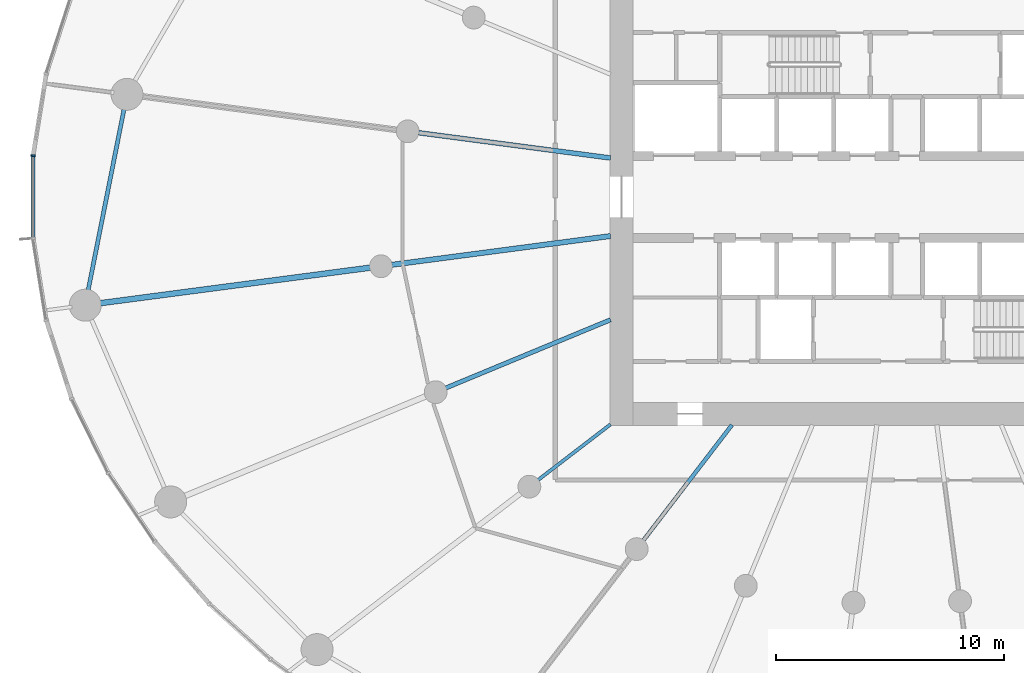
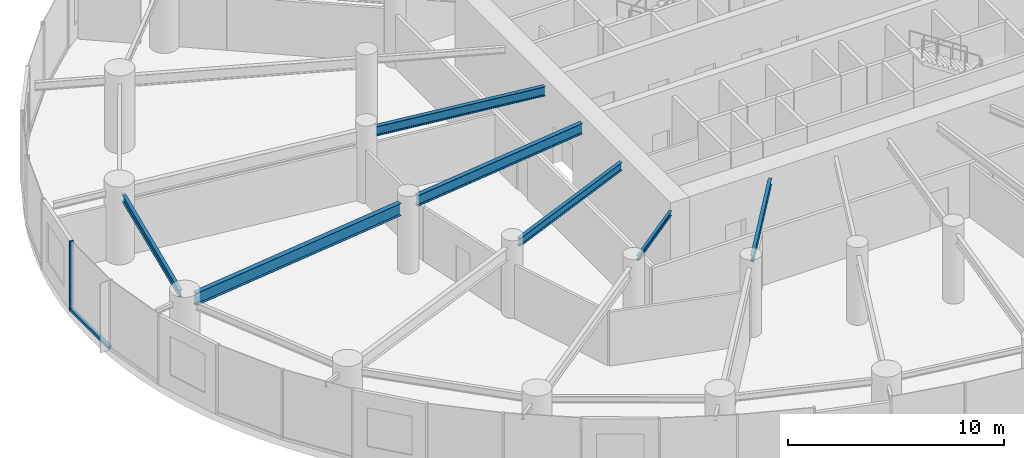
# One storey, part 3 of 19: 7 beams, 2 members, 1 element without a shape of its own.
"""IFC4 building model written with IfcOpenShell, lengths in metres."""

from ifc_helpers import new_model, si_unit, direction, frame, origin, origin_2d, place, context, subcontext, project, spatial, rectangle, i_section, extrude, source, transform, mapped, material, layer, layer_set, material_profile, profile_set, type_object, element, aggregate, save


model = new_model("IFC4")

# Units and contexts
model_context = context("Model", 3, precision=1e-05, world=origin(), true_north=direction((0.0, 1.0)))
body_context = subcontext(model_context, "Body", "Model", "MODEL_VIEW")
ifc_project = project(units=[si_unit("LENGTHUNIT", "METRE"), si_unit("AREAUNIT", "SQUARE_METRE"), si_unit("VOLUMEUNIT", "CUBIC_METRE"), si_unit("PLANEANGLEUNIT", "RADIAN"), si_unit("MASSUNIT", "GRAM", prefix="KILO")], contexts=[model_context])

# Site, building, storey
site_placement = place(None, origin())
site = spatial("IfcSite", under=ifc_project, at=site_placement, CompositionType="ELEMENT")
building_placement = place(site_placement, origin())
building = spatial("IfcBuilding", under=site, at=building_placement, Name="Spindrift Exchange Tower", CompositionType="ELEMENT")
storey_placement = place(building_placement, frame((0.0, 0.0, 22.60009765625)))
storey = spatial("IfcBuildingStorey", under=building, at=storey_placement, Name="L05", CompositionType="ELEMENT", Elevation=22.60009765625)

# Beams
ifc_material_1 = material(Name="Steel Grade 300", Category="steel")
ifc_material_profile_1 = material_profile(ifc_material_1, i_section(OverallWidth=0.22802734375, OverallDepth=0.60693359375, WebThickness=0.01123046875, FlangeThickness=0.017333984375, FilletRadius=0.013916015625, at=origin_2d()), Name="610UB113")
ifc_profile_set_1 = profile_set([ifc_material_profile_1], Name="Steel Grade 300")
beam_type_1 = type_object("IfcBeamType", Name="Floor Beam 610UB113 Steel Grade 300", PredefinedType="BEAM", material=ifc_profile_set_1)
shared_shape_1 = source(origin(), body_context, "Body", "SweptSolid", [
    extrude(i_section(OverallWidth=0.22802734375, OverallDepth=0.60693359375, WebThickness=0.01123046875, FlangeThickness=0.017333984375, FilletRadius=0.013916015625, at=origin_2d()), origin(), (0.0, 0.0, 1.0), 9.660400390625),
])
beam_1_placement = place(storey_placement, frame((39.019775390625, 46.291015625, 3.646484375), z_axis=(-0.99144767089, -0.130504850054, 0.0), x_axis=(0.130504850054, -0.99144767089, 0.0)))
element("IfcBeam", 1, at=beam_1_placement, inside=storey, type_object=beam_type_1, Name="L05 radial beam R13A", PredefinedType="BEAM", context=body_context, shape_type="MappedRepresentation", body=[
    mapped(shared_shape_1, transform((0.0, 0.0, 0.0), scale=1.0)),
])
ifc_material_profile_2 = material_profile(ifc_material_1, i_section(OverallWidth=0.25, OverallDepth=0.699951171875, WebThickness=0.008056640625, FlangeThickness=0.011962890625, at=origin_2d()), Name="700WB115")
ifc_profile_set_2 = profile_set([ifc_material_profile_2], Name="Steel Grade 300")
beam_type_2 = type_object("IfcBeamType", Name="Floor Beam 700WB115 Steel Grade 300", PredefinedType="BEAM", material=ifc_profile_set_2)
shared_shape_2 = source(origin(), body_context, "Body", "SweptSolid", [
    extrude(i_section(OverallWidth=0.25, OverallDepth=0.699951171875, WebThickness=0.008056640625, FlangeThickness=0.011962890625, at=origin_2d()), origin(), (0.0, 0.0, 1.0), 12.00830078125),
])
beam_2_placement = place(storey_placement, frame((28.490234375, 44.90478515625, 3.599853515625), z_axis=(-0.991444950947, -0.130525511844, 0.0), x_axis=(0.130525511844, -0.991444950947, 0.0)))
element("IfcBeam", 2, at=beam_2_placement, inside=storey, type_object=beam_type_2, Name="L05 radial beam R13B", PredefinedType="BEAM", context=body_context, shape_type="MappedRepresentation", body=[
    mapped(shared_shape_2, transform((0.0, 0.0, 0.0), scale=1.0)),
])
ifc_material_profile_3 = material_profile(ifc_material_1, i_section(OverallWidth=0.18994140625, OverallDepth=0.45703125, WebThickness=0.009033203125, FlangeThickness=0.014404296875, FilletRadius=0.013916015625, at=origin_2d()), Name="460UB74.6")
ifc_profile_set_3 = profile_set([ifc_material_profile_3], Name="Steel Grade 300")
beam_type_3 = type_object("IfcBeamType", Name="Floor Beam 460UB74.6 Steel Grade 300", PredefinedType="BEAM", material=ifc_profile_set_3)
shared_shape_3 = source(origin(), body_context, "Body", "SweptSolid", [
    extrude(i_section(OverallWidth=0.18994140625, OverallDepth=0.45703125, WebThickness=0.009033203125, FlangeThickness=0.014404296875, FilletRadius=0.013916015625, at=origin_2d()), origin(), (0.0, 0.0, 1.0), 7.808837890625),
])
beam_3_placement = place(storey_placement, frame((39.0185546875, 42.622802734375, 3.721435546875), z_axis=(-0.92387965154, -0.382683145003, 0.0), x_axis=(0.382683145003, -0.92387965154, 0.0)))
element("IfcBeam", 3, at=beam_3_placement, inside=storey, type_object=beam_type_3, Name="L05 radial beam R14A", PredefinedType="BEAM", context=body_context, shape_type="MappedRepresentation", body=[
    mapped(shared_shape_3, transform((0.0, 0.0, 0.0), scale=1.0)),
])
ifc_material_profile_4 = material_profile(ifc_material_1, i_section(OverallWidth=0.14599609375, OverallDepth=0.251953125, WebThickness=0.006103515625, FlangeThickness=0.008544921875, FilletRadius=0.011962890625, at=origin_2d()), Name="250UB31.4")
ifc_profile_set_4 = profile_set([ifc_material_profile_4], Name="Steel Grade 300")
beam_type_4 = type_object("IfcBeamType", Name="Floor Beam 250UB31.4 Steel Grade 300", PredefinedType="BEAM", material=ifc_profile_set_4)
shared_shape_4 = source(origin(), body_context, "Body", "SweptSolid", [
    extrude(i_section(OverallWidth=0.14599609375, OverallDepth=0.251953125, WebThickness=0.006103515625, FlangeThickness=0.008544921875, FilletRadius=0.011962890625, at=origin_2d()), origin(), (0.0, 0.0, 1.0), 3.99560546875),
])
beam_4_placement = place(storey_placement, frame((39.015869140625, 38.036865234375, 3.823974609375), z_axis=(-0.793352561574, -0.608762443851, 0.0), x_axis=(0.608762443851, -0.793352561574, 0.0)))
element("IfcBeam", 4, at=beam_4_placement, inside=storey, type_object=beam_type_4, Name="L05 radial beam R15A", PredefinedType="BEAM", context=body_context, shape_type="MappedRepresentation", body=[
    mapped(shared_shape_4, transform((0.0, 0.0, 0.0), scale=1.0)),
])
ifc_material_profile_5 = material_profile(ifc_material_1, i_section(OverallWidth=0.172119140625, OverallDepth=0.35888671875, WebThickness=0.008056640625, FlangeThickness=0.012939453125, FilletRadius=0.013916015625, at=origin_2d()), Name="360UB56.7")
ifc_profile_set_5 = profile_set([ifc_material_profile_5], Name="Steel Grade 300")
beam_type_5 = type_object("IfcBeamType", Name="Floor Beam 360UB56.7 Steel Grade 300", PredefinedType="BEAM", material=ifc_profile_set_5)
shared_shape_5 = source(origin(), body_context, "Body", "SweptSolid", [
    extrude(i_section(OverallWidth=0.172119140625, OverallDepth=0.35888671875, WebThickness=0.008056640625, FlangeThickness=0.012939453125, FilletRadius=0.013916015625, at=origin_2d()), origin(), (0.0, 0.0, 1.0), 6.37646484375),
])
beam_5_placement = place(storey_placement, frame((44.3388671875, 38.015869140625, 3.7705078125), z_axis=(-0.608766669952, -0.793349318747, 0.0), x_axis=(0.793349318747, -0.608766669952, 0.0)))
element("IfcBeam", 5, at=beam_5_placement, inside=storey, type_object=beam_type_5, Name="L05 radial beam R16A", PredefinedType="BEAM", context=body_context, shape_type="MappedRepresentation", body=[
    mapped(shared_shape_5, transform((0.0, 0.0, 0.0), scale=1.0)),
])
ifc_material_profile_6 = material_profile(ifc_material_1, i_section(OverallWidth=0.208984375, OverallDepth=0.532958984375, WebThickness=0.01025390625, FlangeThickness=0.015625, FilletRadius=0.013916015625, at=origin_2d()), Name="530UB92.4")
ifc_profile_set_6 = profile_set([ifc_material_profile_6], Name="Steel Grade 300")
beam_type_6 = type_object("IfcBeamType", Name="Floor Beam 530UB92.4 Steel Grade 300", PredefinedType="BEAM", material=ifc_profile_set_6)
shared_shape_6 = source(origin(), body_context, "Body", "SweptSolid", [
    extrude(i_section(OverallWidth=0.208984375, OverallDepth=0.532958984375, WebThickness=0.01025390625, FlangeThickness=0.015625, FilletRadius=0.013916015625, at=origin_2d()), origin(), (0.0, 0.0, 1.0), 8.4794921875),
])
beam_6_placement = place(storey_placement, frame((39.019775390625, 49.708984375, 3.683349609375), z_axis=(-0.991446551951, 0.13051335037, 0.0), x_axis=(-0.13051335037, -0.991446551951, 0.0)))
element("IfcBeam", 6, at=beam_6_placement, inside=storey, type_object=beam_type_6, Name="L05 radial beam R12A", PredefinedType="BEAM", context=body_context, shape_type="MappedRepresentation", body=[
    mapped(shared_shape_6, transform((0.0, 0.0, 0.0), scale=1.0)),
])
ifc_material_profile_7 = material_profile(ifc_material_1, i_section(OverallWidth=0.177978515625, OverallDepth=0.406005859375, WebThickness=0.0078125, FlangeThickness=0.0126953125, FilletRadius=0.013916015625, at=origin_2d()), Name="410UB59.7")
ifc_profile_set_7 = profile_set([ifc_material_profile_7], Name="Steel Grade 300")
beam_type_7 = type_object("IfcBeamType", Name="Edge Beam 410UB59.7 Steel Grade 300", PredefinedType="SPANDREL", material=ifc_profile_set_7)
shared_shape_7 = source(origin(), body_context, "Body", "SweptSolid", [
    extrude(i_section(OverallWidth=0.177978515625, OverallDepth=0.406005859375, WebThickness=0.0078125, FlangeThickness=0.0126953125, FilletRadius=0.013916015625, at=origin_2d()), origin(), (0.0, 0.0, 1.0), 8.2548828125),
])
beam_7_placement = place(storey_placement, frame((17.72607421875, 51.928466796875, 3.746826171875), z_axis=(-0.194278723288, -0.9809463684, 0.0), x_axis=(0.9809463684, -0.194278723288, 0.0)))
element("IfcBeam", 7, at=beam_7_placement, inside=storey, type_object=beam_type_7, Name="L05 edge beam E12", PredefinedType="SPANDREL", context=body_context, shape_type="MappedRepresentation", body=[
    mapped(shared_shape_7, transform((0.0, 0.0, 0.0), scale=1.0)),
])

# Curtain wall, members
ifc_material_2 = material(Name="Fritted laminated glass with bronze frame", Category="glass")
ifc_layer = layer(ifc_material_2, 0.199951171875)
ifc_layer_set = layer_set([ifc_layer], Name="ZONE 1 BRONZE FRITTED WALL")
curtain_wall_type = type_object("IfcCurtainWallType", Name="ZONE 1 BRONZE FRITTED WALL", PredefinedType="NOTDEFINED", material=ifc_layer_set)
curtain_wall_placement = place(storey_placement, origin())
curtain_wall = element("IfcCurtainWall", 8, at=curtain_wall_placement, inside=storey, type_object=curtain_wall_type, Name="L05 Zone 1 Bronze Fritted Wall run 5", PredefinedType="NOTDEFINED")
ifc_material_3 = material(Name="Bronze anodised aluminium", Category="aluminium")
ifc_material_profile_8 = material_profile(ifc_material_3, rectangle(XDim=0.080078125, YDim=0.199951171875, at=origin_2d()), Name="ZONE 1 BRONZE FRITTED WALL MULLION 80X200")
ifc_profile_set_8 = profile_set([ifc_material_profile_8], Name="Bronze anodised aluminium")
member_type_1 = type_object("IfcMemberType", Name="ZONE 1 BRONZE FRITTED WALL MULLION 80X200", PredefinedType="MULLION", material=ifc_profile_set_8)
shared_shape_8 = source(origin(), body_context, "Body", "SweptSolid", [
    extrude(rectangle(XDim=0.080078125, YDim=0.199951171875, at=origin_2d()), origin(), (0.0, 0.0, 1.0), 3.949951171875),
])
member_1_placement = place(storey_placement, frame((13.722412109375, 49.812255859375, 0.0), z_axis=(0.0, 0.0, 1.0), x_axis=(-0.079352003657, -0.996846657975, 0.0)))
member_1 = element("IfcMember", 9, at=member_1_placement, type_object=member_type_1, Name="L05 mullion CW-1.30", PredefinedType="MULLION", context=body_context, shape_type="MappedRepresentation", body=[
    mapped(shared_shape_8, transform((0.0, 0.0, 0.0), scale=1.0)),
])
ifc_material_profile_9 = material_profile(ifc_material_3, rectangle(XDim=0.179931640625, YDim=0.14990234375, at=origin_2d()), Name="ZONE 1 BRONZE FRITTED WALL TRANSOM 180X150")
ifc_profile_set_9 = profile_set([ifc_material_profile_9], Name="Bronze anodised aluminium")
member_type_2 = type_object("IfcMemberType", Name="ZONE 1 BRONZE FRITTED WALL TRANSOM 180X150", PredefinedType="USERDEFINED", material=ifc_profile_set_9)
shared_shape_9 = source(origin(), body_context, "Body", "SweptSolid", [
    extrude(rectangle(XDim=0.179931640625, YDim=0.14990234375, at=origin_2d()), origin(), (0.0, 0.0, 1.0), 3.54443359375),
])
member_2_placement = place(storey_placement, frame((13.722412109375, 49.772216796875, 0.074951171875), z_axis=(0.0, -1.0, 0.0), x_axis=(1.0, 0.0, 0.0)))
member_2 = element("IfcMember", 10, at=member_2_placement, type_object=member_type_2, Name="L05 transom CW-1.30", ObjectType="TRANSOM", PredefinedType="USERDEFINED", context=body_context, shape_type="MappedRepresentation", body=[
    mapped(shared_shape_9, transform((0.0, 0.0, 0.0), scale=1.0)),
])
aggregate(curtain_wall, [member_1, member_2])

save(model, "model.ifc")
